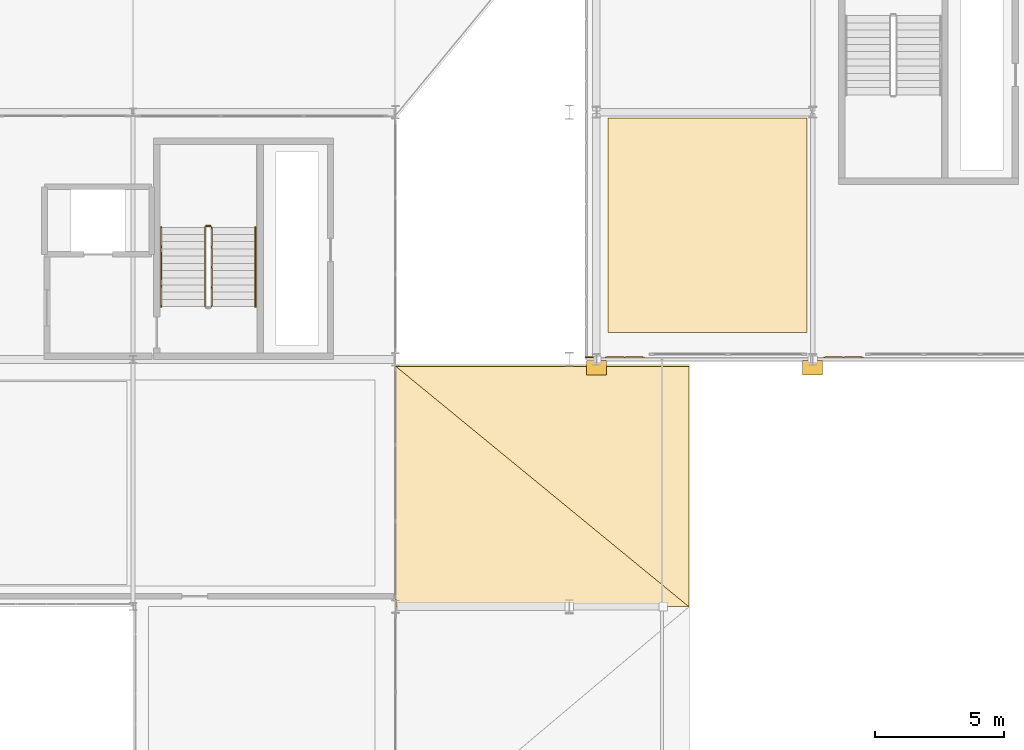
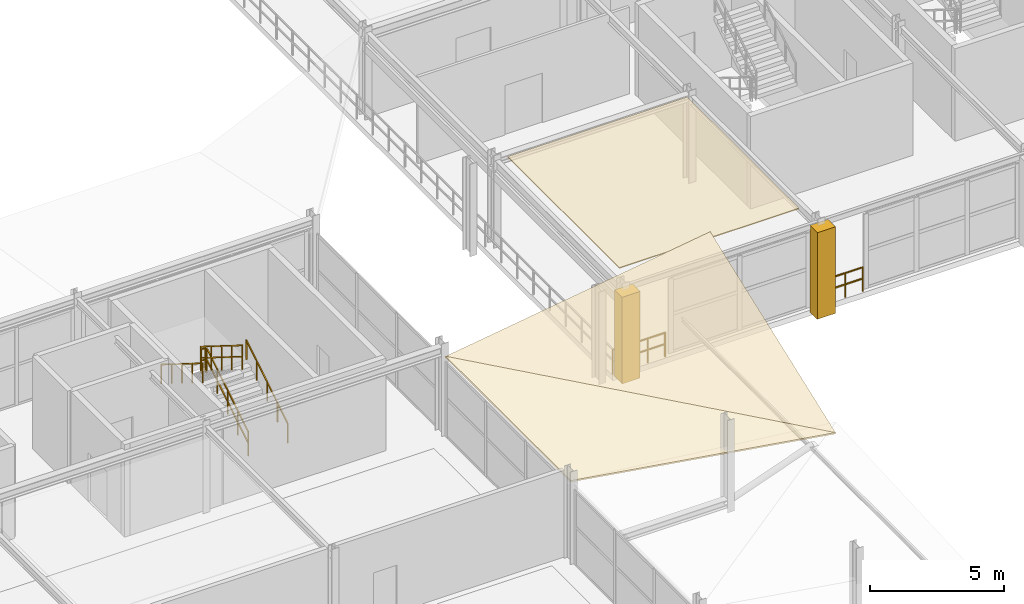
# One storey, part 73 of 81: 8 railings, 5 coverings.
"""IFC4 building model written with IfcOpenShell, lengths in metres."""

from ifc_helpers import new_model, si_unit, direction, frame, origin, origin_2d, place, context, subcontext, project, spatial, polyline, rectangle, outline, extrude, material, layer, layer_set, type_object, element, save


model = new_model("IFC4")

# Units and contexts
model_context = context("Model", 3, precision=1e-05, world=origin(), true_north=direction((0.0, 1.0)))
body_context = subcontext(model_context, "Body", "Model", "MODEL_VIEW")
ifc_project = project(units=[si_unit("LENGTHUNIT", "METRE"), si_unit("AREAUNIT", "SQUARE_METRE"), si_unit("VOLUMEUNIT", "CUBIC_METRE"), si_unit("PLANEANGLEUNIT", "RADIAN"), si_unit("MASSUNIT", "GRAM", prefix="KILO")], contexts=[model_context])

# Site, building, storey
site_placement = place(None, origin())
site = spatial("IfcSite", under=ifc_project, at=site_placement, CompositionType="ELEMENT")
building_placement = place(site_placement, origin())
building = spatial("IfcBuilding", under=site, at=building_placement, Name="Myrtia Square Station", CompositionType="ELEMENT")
storey_placement = place(building_placement, frame((0.0, 0.0, 10.800048828125)))
storey = spatial("IfcBuildingStorey", under=building, at=storey_placement, Name="L02", CompositionType="ELEMENT", Elevation=10.800048828125)

# Coverings
ifc_material_1 = material(Name="Pentelic marble ashlar", Category="masonry")
ifc_layer_1 = layer(ifc_material_1, 0.4599609375, Name="Pentelic marble ashlar")
ifc_layer_set_1 = layer_set([ifc_layer_1], Name="Pentelic marble ashlar")
covering_type_1 = type_object("IfcCoveringType", Name="COV-ARCH-ASHLAR", PredefinedType="CLADDING", material=ifc_layer_set_1)
for number, where, z_axis, x_axis, name in (
    (1, (117.60009765625, 86.080078125, -0.0400390625), (0.0, 0.0, 1.0), (1.0, 0.0, 0.0), "Classical Pentelic ashlar pilaster 055"),
    (2, (126.0, 86.080078125, -0.0400390625), (0.0, 0.0, 1.0), (1.0, 0.0, 0.0), "Classical Pentelic ashlar pilaster 061"),
):
    element("IfcCovering", number, at=place(storey_placement, frame(where, z_axis=z_axis, x_axis=x_axis)), inside=storey, type_object=covering_type_1, Name=name, PredefinedType="CLADDING", context=body_context, shape_type="SweptSolid", body=[
        extrude(rectangle(XDim=0.780029296875, YDim=0.56005859375, at=origin_2d()), origin(), (0.0, 0.0, 1.0), 3.93994140625),
    ])
ifc_material_2 = material(Name="Acoustic European oak timber", Category="wood")
ifc_layer_2 = layer(ifc_material_2, 0.044921875, Name="Acoustic European oak timber")
ifc_layer_set_2 = layer_set([ifc_layer_2], Name="Acoustic European oak timber")
covering_type_2 = type_object("IfcCoveringType", Name="COV-CEIL-OAK", PredefinedType="CEILING", material=ifc_layer_set_2)
covering_1_placement = place(storey_placement, frame((0.0, 0.0, 3.9150390625)))
element("IfcCovering", 3, at=covering_1_placement, inside=storey, type_object=covering_type_2, Name="Acoustic coffer ceiling L02-11", PredefinedType="CEILING", context=body_context, shape_type="SweptSolid", body=[
    extrude(outline(polyline([(118.050048828125, 87.449951171875), (118.050048828125, 95.780029296875), (125.780029296875, 95.780029296875), (125.780029296875, 87.449951171875), (118.050048828125, 87.449951171875)])), origin(), (0.0, 0.0, 1.0), 0.044921875),
])
ifc_material_3 = material(Name="Terracotta clay barrel tiles", Category="masonry")
ifc_layer_3 = layer(ifc_material_3, 0.06494140625, Name="Terracotta clay barrel tiles")
ifc_layer_set_3 = layer_set([ifc_layer_3], Name="Terracotta clay barrel tiles")
covering_type_3 = type_object("IfcCoveringType", Name="COV-TILE-TERRACOTTA", PredefinedType="ROOFING", material=ifc_layer_set_3)
covering_2_placement = place(storey_placement, frame((121.191162109375, 86.12744140625, 5.295166015625), z_axis=(-0.137173530302, -0.345947029423, 0.928172438407), x_axis=(-0.989254928789, 0.0, -0.146200840852)))
element("IfcCovering", 4, at=covering_2_placement, inside=storey, type_object=covering_type_3, Name="Terracotta clay barrel-tile roofing 093", PredefinedType="ROOFING", context=body_context, shape_type="SweptSolid", body=[
    extrude(outline(polyline([(0.0, 0.0), (11.52397238831587, 0.0), (0.5094899419724017, 9.96516195812585), (0.0, 0.0)])), origin(), (0.0, 0.0, -1.0), 0.06494140625),
])
covering_3_placement = place(storey_placement, frame((109.81005859375, 76.800048828125, 3.6142578125), z_axis=(0.155964745994, 0.0, 0.987762622297), x_axis=(0.987762622297, 0.0, -0.155964745994)))
element("IfcCovering", 5, at=covering_3_placement, inside=storey, type_object=covering_type_3, Name="Terracotta clay barrel-tile roofing 094", PredefinedType="ROOFING", context=body_context, shape_type="SweptSolid", body=[
    extrude(outline(polyline([(0.0, 0.0), (11.54138274423138, 0.0), (0.0, 9.349853515624998), (0.0, 0.0)])), origin(), (0.0, 0.0, -1.0), 0.06494140625),
])

# Railings
ifc_material_4 = material(Name="Dark bronze anodised aluminium", Category="aluminium")
railing_type_1 = type_object("IfcRailingType", Name="RL-HANDRAIL-900", PredefinedType="HANDRAIL", material=ifc_material_4)
railing_1_placement = place(storey_placement, frame((104.360107421875, 88.449951171875, 0.175048828125)))
element("IfcRailing", 6, at=railing_1_placement, inside=storey, type_object=railing_type_1, Name="L02 ST04 stair handrail 1", PredefinedType="HANDRAIL", context=body_context, shape_type="SweptSolid", body=[
    extrude(rectangle(XDim=0.048095703125, YDim=0.048095703125, at=origin_2d()), frame((0.0, 0.029296875, 0.894287109375), z_axis=(0.0, 0.848028513186, 0.529950602248), x_axis=(-1.0, 0.0, 0.0)), (0.0, 0.0, 1.0), 0.838623046875),
    extrude(rectangle(XDim=0.048095703125, YDim=0.048095703125, at=origin_2d()), frame((0.0, 0.79931640625, 1.37548828125), z_axis=(0.0, 0.848028513186, 0.529950602248), x_axis=(-1.0, 0.0, 0.0)), (0.0, 0.0, 1.0), 0.838623046875),
    extrude(rectangle(XDim=0.048095703125, YDim=0.048095703125, at=origin_2d()), frame((0.0, 1.5693359375, 1.856689453125), z_axis=(0.0, 0.848028513186, 0.529950602248), x_axis=(-1.0, 0.0, 0.0)), (0.0, 0.0, 1.0), 0.838623046875),
    extrude(rectangle(XDim=0.048095703125, YDim=0.048095703125, at=origin_2d()), frame((0.0, 2.33935546875, 2.337890625), z_axis=(0.0, 0.848028513186, 0.529950602248), x_axis=(-1.0, 0.0, 0.0)), (0.0, 0.0, 1.0), 0.838623046875),
    extrude(rectangle(XDim=0.0439453125, YDim=0.0439453125, at=origin_2d()), origin(), (0.0, 0.0, 1.0), 0.89990234375),
    extrude(rectangle(XDim=0.0439453125, YDim=0.0439453125, at=origin_2d()), frame((0.0, 0.77001953125, 0.481201171875)), (0.0, 0.0, 1.0), 0.89990234375),
    extrude(rectangle(XDim=0.0439453125, YDim=0.0439453125, at=origin_2d()), frame((0.0, 1.5400390625, 0.96240234375)), (0.0, 0.0, 1.0), 0.89990234375),
    extrude(rectangle(XDim=0.0439453125, YDim=0.0439453125, at=origin_2d()), frame((0.0, 2.31005859375, 1.443603515625)), (0.0, 0.0, 1.0), 0.89990234375),
    extrude(rectangle(XDim=0.0439453125, YDim=0.0439453125, at=origin_2d()), frame((0.0, 3.080078125, 1.9248046875)), (0.0, 0.0, 1.0), 0.89990234375),
])
railing_2_placement = place(storey_placement, frame((100.699951171875, 91.530029296875, 2.27490234375)))
element("IfcRailing", 7, at=railing_2_placement, inside=storey, type_object=railing_type_1, Name="L02 ST04 stair handrail 2", PredefinedType="HANDRAIL", context=body_context, shape_type="SweptSolid", body=[
    extrude(rectangle(XDim=0.048095703125, YDim=0.048095703125, at=origin_2d()), frame((0.0, -0.029296875, 0.894287109375), z_axis=(0.0, -0.847998304005, 0.529998940003), x_axis=(1.0, 0.0, 0.0)), (0.0, 0.0, 1.0), 0.8388671875),
    extrude(rectangle(XDim=0.048095703125, YDim=0.048095703125, at=origin_2d()), frame((0.0, -0.79931640625, 1.37548828125), z_axis=(0.0, -0.847998304005, 0.529998940003), x_axis=(1.0, 0.0, 0.0)), (0.0, 0.0, 1.0), 0.8388671875),
    extrude(rectangle(XDim=0.048095703125, YDim=0.048095703125, at=origin_2d()), frame((0.0, -1.5693359375, 1.856689453125), z_axis=(0.0, -0.847998304005, 0.529998940003), x_axis=(1.0, 0.0, 0.0)), (0.0, 0.0, 1.0), 0.8388671875),
    extrude(rectangle(XDim=0.048095703125, YDim=0.048095703125, at=origin_2d()), frame((0.0, -2.33935546875, 2.337890625), z_axis=(0.0, -0.847998304005, 0.529998940003), x_axis=(1.0, 0.0, 0.0)), (0.0, 0.0, 1.0), 0.8388671875),
    extrude(rectangle(XDim=0.0439453125, YDim=0.0439453125, at=origin_2d()), origin(), (0.0, 0.0, 1.0), 0.89990234375),
    extrude(rectangle(XDim=0.0439453125, YDim=0.0439453125, at=origin_2d()), frame((0.0, -0.77001953125, 0.481201171875)), (0.0, 0.0, 1.0), 0.89990234375),
    extrude(rectangle(XDim=0.0439453125, YDim=0.0439453125, at=origin_2d()), frame((0.0, -1.5400390625, 0.96240234375)), (0.0, 0.0, 1.0), 0.89990234375),
    extrude(rectangle(XDim=0.0439453125, YDim=0.0439453125, at=origin_2d()), frame((0.0, -2.31005859375, 1.44384765625)), (0.0, 0.0, 1.0), 0.89990234375),
    extrude(rectangle(XDim=0.0439453125, YDim=0.0439453125, at=origin_2d()), frame((0.0, -3.080078125, 1.925048828125)), (0.0, 0.0, 1.0), 0.89990234375),
])
ifc_material_5 = material(Name="Wrought iron", Category="steel")
railing_type_2 = type_object("IfcRailingType", Name="RL-INT-GUARD-1100", PredefinedType="BALUSTRADE", material=ifc_material_5)
railing_3_placement = place(storey_placement, frame((102.659912109375, 88.449951171875, 0.175048828125)))
element("IfcRailing", 8, at=railing_3_placement, inside=storey, type_object=railing_type_2, Name="L02 ST04 stair guard 1", PredefinedType="BALUSTRADE", context=body_context, shape_type="SweptSolid", body=[
    extrude(rectangle(XDim=0.048095703125, YDim=0.048095703125, at=origin_2d()), frame((0.0, 0.029296875, 1.114501953125), z_axis=(0.0, 0.848028513186, 0.529950602248), x_axis=(-1.0, 0.0, 0.0)), (0.0, 0.0, 1.0), 0.838623046875),
    extrude(rectangle(XDim=0.048095703125, YDim=0.048095703125, at=origin_2d()), frame((0.0, 0.029296875, 0.600830078125), z_axis=(0.0, 0.848028513186, 0.529950602248), x_axis=(-1.0, 0.0, 0.0)), (0.0, 0.0, 1.0), 0.838623046875),
    extrude(rectangle(XDim=0.048095703125, YDim=0.048095703125, at=origin_2d()), frame((0.0, 0.79931640625, 1.595703125), z_axis=(0.0, 0.848028513186, 0.529950602248), x_axis=(-1.0, 0.0, 0.0)), (0.0, 0.0, 1.0), 0.838623046875),
    extrude(rectangle(XDim=0.048095703125, YDim=0.048095703125, at=origin_2d()), frame((0.0, 0.79931640625, 1.08203125), z_axis=(0.0, 0.848028513186, 0.529950602248), x_axis=(-1.0, 0.0, 0.0)), (0.0, 0.0, 1.0), 0.838623046875),
    extrude(rectangle(XDim=0.048095703125, YDim=0.048095703125, at=origin_2d()), frame((0.0, 1.5693359375, 2.076904296875), z_axis=(0.0, 0.848028513186, 0.529950602248), x_axis=(-1.0, 0.0, 0.0)), (0.0, 0.0, 1.0), 0.838623046875),
    extrude(rectangle(XDim=0.048095703125, YDim=0.048095703125, at=origin_2d()), frame((0.0, 1.5693359375, 1.563232421875), z_axis=(0.0, 0.848028513186, 0.529950602248), x_axis=(-1.0, 0.0, 0.0)), (0.0, 0.0, 1.0), 0.838623046875),
    extrude(rectangle(XDim=0.048095703125, YDim=0.048095703125, at=origin_2d()), frame((0.0, 2.33935546875, 2.55810546875), z_axis=(0.0, 0.848028513186, 0.529950602248), x_axis=(-1.0, 0.0, 0.0)), (0.0, 0.0, 1.0), 0.838623046875),
    extrude(rectangle(XDim=0.048095703125, YDim=0.048095703125, at=origin_2d()), frame((0.0, 2.33935546875, 2.04443359375), z_axis=(0.0, 0.848028513186, 0.529950602248), x_axis=(-1.0, 0.0, 0.0)), (0.0, 0.0, 1.0), 0.838623046875),
    extrude(rectangle(XDim=0.0439453125, YDim=0.0439453125, at=origin_2d()), origin(), (0.0, 0.0, 1.0), 1.1201171875),
    extrude(rectangle(XDim=0.0439453125, YDim=0.0439453125, at=origin_2d()), frame((0.0, 0.77001953125, 0.481201171875)), (0.0, 0.0, 1.0), 1.1201171875),
    extrude(rectangle(XDim=0.0439453125, YDim=0.0439453125, at=origin_2d()), frame((0.0, 1.5400390625, 0.96240234375)), (0.0, 0.0, 1.0), 1.1201171875),
    extrude(rectangle(XDim=0.0439453125, YDim=0.0439453125, at=origin_2d()), frame((0.0, 2.31005859375, 1.443603515625)), (0.0, 0.0, 1.0), 1.1201171875),
    extrude(rectangle(XDim=0.0439453125, YDim=0.0439453125, at=origin_2d()), frame((0.0, 3.080078125, 1.9248046875)), (0.0, 0.0, 1.0), 1.1201171875),
])
railing_4_placement = place(storey_placement, frame((102.610107421875, 91.580078125, 2.099853515625)))
element("IfcRailing", 9, at=railing_4_placement, inside=storey, type_object=railing_type_2, Name="L02 ST04 stair guard 2", PredefinedType="BALUSTRADE", context=body_context, shape_type="SweptSolid", body=[
    extrude(rectangle(XDim=0.048095703125, YDim=0.048095703125, at=origin_2d()), frame((-0.03466796875, 0.0, 1.09619140625), z_axis=(-1.0, 0.0, 0.0), x_axis=(0.0, -1.0, 0.0)), (0.0, 0.0, 1.0), 0.0908203125),
    extrude(rectangle(XDim=0.048095703125, YDim=0.048095703125, at=origin_2d()), frame((-0.03466796875, 0.0, 0.58251953125), z_axis=(-1.0, 0.0, 0.0), x_axis=(0.0, -1.0, 0.0)), (0.0, 0.0, 1.0), 0.0908203125),
    extrude(rectangle(XDim=0.0439453125, YDim=0.0439453125, at=origin_2d()), origin(), (0.0, 0.0, 1.0), 1.1201171875),
    extrude(rectangle(XDim=0.0439453125, YDim=0.0439453125, at=origin_2d()), frame((-0.16015625, 0.0, 0.0)), (0.0, 0.0, 1.0), 1.1201171875),
])
railing_5_placement = place(storey_placement, frame((102.39990234375, 91.530029296875, 2.27490234375)))
element("IfcRailing", 10, at=railing_5_placement, inside=storey, type_object=railing_type_2, Name="L02 ST04 stair guard 3", PredefinedType="BALUSTRADE", context=body_context, shape_type="SweptSolid", body=[
    extrude(rectangle(XDim=0.048095703125, YDim=0.048095703125, at=origin_2d()), frame((0.0, -0.029296875, 1.114501953125), z_axis=(0.0, -0.847998304005, 0.529998940003), x_axis=(1.0, 0.0, 0.0)), (0.0, 0.0, 1.0), 0.8388671875),
    extrude(rectangle(XDim=0.048095703125, YDim=0.048095703125, at=origin_2d()), frame((0.0, -0.029296875, 0.600830078125), z_axis=(0.0, -0.847998304005, 0.529998940003), x_axis=(1.0, 0.0, 0.0)), (0.0, 0.0, 1.0), 0.8388671875),
    extrude(rectangle(XDim=0.048095703125, YDim=0.048095703125, at=origin_2d()), frame((0.0, -0.79931640625, 1.595703125), z_axis=(0.0, -0.847998304005, 0.529998940003), x_axis=(1.0, 0.0, 0.0)), (0.0, 0.0, 1.0), 0.8388671875),
    extrude(rectangle(XDim=0.048095703125, YDim=0.048095703125, at=origin_2d()), frame((0.0, -0.79931640625, 1.08203125), z_axis=(0.0, -0.847998304005, 0.529998940003), x_axis=(1.0, 0.0, 0.0)), (0.0, 0.0, 1.0), 0.8388671875),
    extrude(rectangle(XDim=0.048095703125, YDim=0.048095703125, at=origin_2d()), frame((0.0, -1.5693359375, 2.076904296875), z_axis=(0.0, -0.847998304005, 0.529998940003), x_axis=(1.0, 0.0, 0.0)), (0.0, 0.0, 1.0), 0.8388671875),
    extrude(rectangle(XDim=0.048095703125, YDim=0.048095703125, at=origin_2d()), frame((0.0, -1.5693359375, 1.563232421875), z_axis=(0.0, -0.847998304005, 0.529998940003), x_axis=(1.0, 0.0, 0.0)), (0.0, 0.0, 1.0), 0.8388671875),
    extrude(rectangle(XDim=0.048095703125, YDim=0.048095703125, at=origin_2d()), frame((0.0, -2.33935546875, 2.55810546875), z_axis=(0.0, -0.847998304005, 0.529998940003), x_axis=(1.0, 0.0, 0.0)), (0.0, 0.0, 1.0), 0.8388671875),
    extrude(rectangle(XDim=0.048095703125, YDim=0.048095703125, at=origin_2d()), frame((0.0, -2.33935546875, 2.044677734375), z_axis=(0.0, -0.847998304005, 0.529998940003), x_axis=(1.0, 0.0, 0.0)), (0.0, 0.0, 1.0), 0.8388671875),
    extrude(rectangle(XDim=0.0439453125, YDim=0.0439453125, at=origin_2d()), origin(), (0.0, 0.0, 1.0), 1.1201171875),
    extrude(rectangle(XDim=0.0439453125, YDim=0.0439453125, at=origin_2d()), frame((0.0, -0.77001953125, 0.481201171875)), (0.0, 0.0, 1.0), 1.1201171875),
    extrude(rectangle(XDim=0.0439453125, YDim=0.0439453125, at=origin_2d()), frame((0.0, -1.5400390625, 0.96240234375)), (0.0, 0.0, 1.0), 1.1201171875),
    extrude(rectangle(XDim=0.0439453125, YDim=0.0439453125, at=origin_2d()), frame((0.0, -2.31005859375, 1.44384765625)), (0.0, 0.0, 1.0), 1.1201171875),
    extrude(rectangle(XDim=0.0439453125, YDim=0.0439453125, at=origin_2d()), frame((0.0, -3.080078125, 1.925048828125)), (0.0, 0.0, 1.0), 1.1201171875),
])
railing_6_placement = place(storey_placement, frame((117.199951171875, 86.47998046875, 0.0)))
element("IfcRailing", 11, at=railing_6_placement, inside=storey, type_object=railing_type_2, Name="Perimeter slab edge balustrade L02-049", PredefinedType="BALUSTRADE", context=body_context, shape_type="SweptSolid", body=[
    extrude(rectangle(XDim=0.048095703125, YDim=0.048095703125, at=origin_2d()), frame((0.03466796875, 0.0, 1.09619140625), z_axis=(1.0, 0.0, 0.0), x_axis=(0.0, 1.0, 0.0)), (0.0, 0.0, 1.0), 0.1806640625),
    extrude(rectangle(XDim=0.048095703125, YDim=0.048095703125, at=origin_2d()), frame((0.03466796875, 0.0, 0.58251953125), z_axis=(1.0, 0.0, 0.0), x_axis=(0.0, 1.0, 0.0)), (0.0, 0.0, 1.0), 0.1806640625),
    extrude(rectangle(XDim=0.0439453125, YDim=0.0439453125, at=origin_2d()), origin(), (0.0, 0.0, 1.0), 1.1201171875),
    extrude(rectangle(XDim=0.0439453125, YDim=0.0439453125, at=origin_2d()), frame((0.25, 0.0, 0.0)), (0.0, 0.0, 1.0), 1.1201171875),
])
for number, where, name in (
    (12, (117.949951171875, 86.47998046875, 0.0), "Perimeter slab edge balustrade L02-050"),
    (13, (126.449951171875, 86.47998046875, 0.0), "Perimeter slab edge balustrade L02-051"),
):
    element("IfcRailing", number, at=place(storey_placement, frame(where)), inside=storey, type_object=railing_type_2, Name=name, PredefinedType="BALUSTRADE", context=body_context, shape_type="SweptSolid", body=[
        extrude(rectangle(XDim=0.048095703125, YDim=0.048095703125, at=origin_2d()), frame((0.03466796875, 0.0, 1.09619140625), z_axis=(1.0, 0.0, 0.0), x_axis=(0.0, 1.0, 0.0)), (0.0, 0.0, 1.0), 0.6806640625),
        extrude(rectangle(XDim=0.048095703125, YDim=0.048095703125, at=origin_2d()), frame((0.03466796875, 0.0, 0.58251953125), z_axis=(1.0, 0.0, 0.0), x_axis=(0.0, 1.0, 0.0)), (0.0, 0.0, 1.0), 0.6806640625),
        extrude(rectangle(XDim=0.048095703125, YDim=0.048095703125, at=origin_2d()), frame((0.78466796875, 0.0, 1.09619140625), z_axis=(1.0, 0.0, 0.0), x_axis=(0.0, 1.0, 0.0)), (0.0, 0.0, 1.0), 0.6806640625),
        extrude(rectangle(XDim=0.048095703125, YDim=0.048095703125, at=origin_2d()), frame((0.78466796875, 0.0, 0.58251953125), z_axis=(1.0, 0.0, 0.0), x_axis=(0.0, 1.0, 0.0)), (0.0, 0.0, 1.0), 0.6806640625),
        extrude(rectangle(XDim=0.0439453125, YDim=0.0439453125, at=origin_2d()), origin(), (0.0, 0.0, 1.0), 1.1201171875),
        extrude(rectangle(XDim=0.0439453125, YDim=0.0439453125, at=origin_2d()), frame((0.75, 0.0, 0.0)), (0.0, 0.0, 1.0), 1.1201171875),
        extrude(rectangle(XDim=0.0439453125, YDim=0.0439453125, at=origin_2d()), frame((1.5, 0.0, 0.0)), (0.0, 0.0, 1.0), 1.1201171875),
    ])

save(model, "model.ifc")
